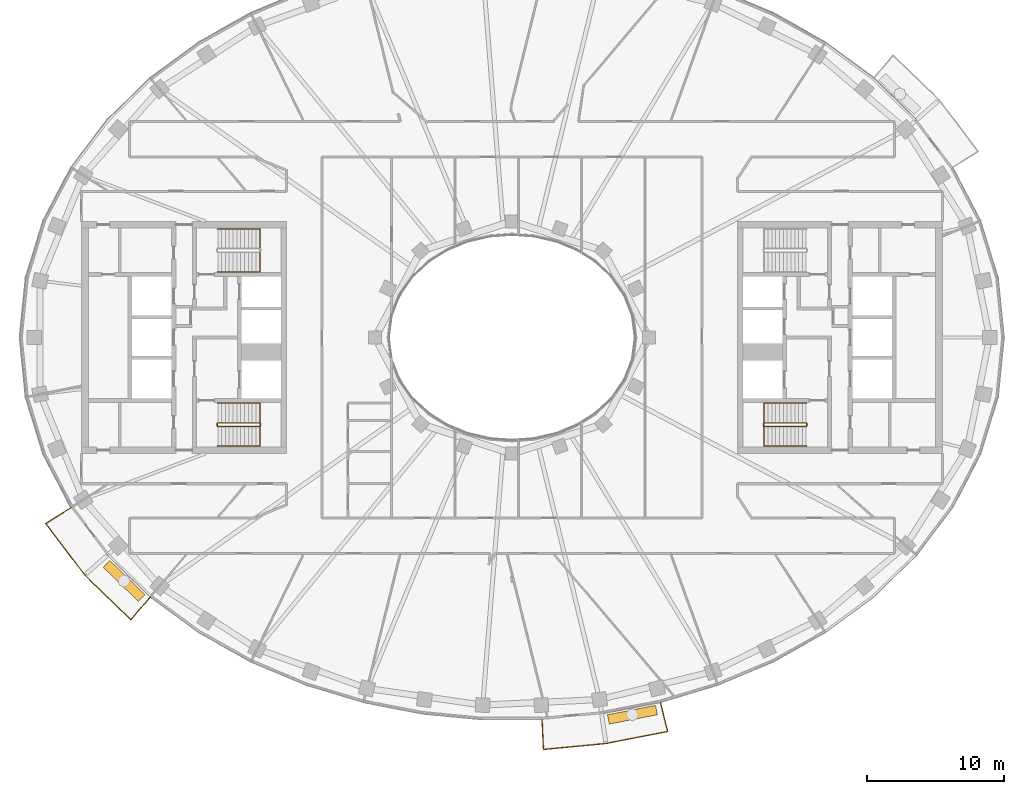
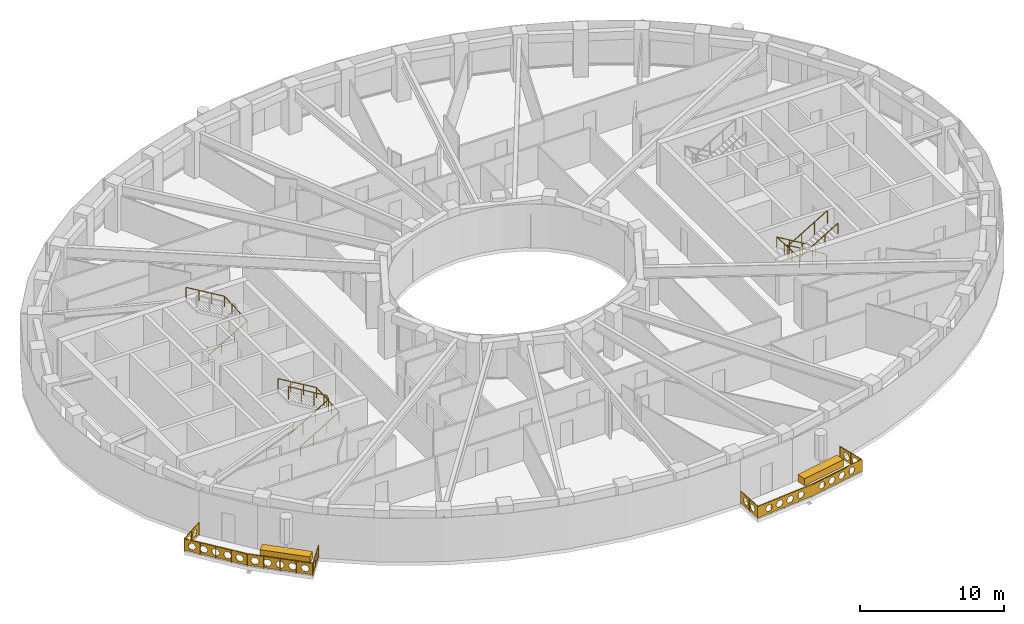
# One storey, part 15 of 17: 7 railings, 2 coverings.
"""IFC4 building model written with IfcOpenShell, lengths in metres."""

from ifc_helpers import new_model, si_unit, direction, frame, origin, origin_2d, place, context, subcontext, project, spatial, polyline, rectangle, outline, extrude, material, type_object, element, save


model = new_model("IFC4")

# Units and contexts
model_context = context("Model", 3, precision=1e-05, world=origin(), true_north=direction((0.0, 1.0)))
body_context = subcontext(model_context, "Body", "Model", "MODEL_VIEW")
ifc_project = project(units=[si_unit("LENGTHUNIT", "METRE"), si_unit("AREAUNIT", "SQUARE_METRE"), si_unit("VOLUMEUNIT", "CUBIC_METRE"), si_unit("PLANEANGLEUNIT", "RADIAN"), si_unit("MASSUNIT", "GRAM", prefix="KILO")], contexts=[model_context])

# Site, building, storey
site_placement = place(None, origin())
site = spatial("IfcSite", under=ifc_project, at=site_placement, CompositionType="ELEMENT")
building_placement = place(site_placement, origin())
building = spatial("IfcBuilding", under=site, at=building_placement, Name="Noorbagh Ring Tower", CompositionType="ELEMENT")
storey_placement = place(building_placement, frame((0.0, 0.0, 269.5)))
storey = spatial("IfcBuildingStorey", under=building, at=storey_placement, Name="L57", CompositionType="ELEMENT", Elevation=269.5)

# Railings
ifc_material_1 = material(Name="Stainless steel", Category="steel")
railing_type_1 = type_object("IfcRailingType", Name="CORE-STAIR-GUARD", PredefinedType="GUARDRAIL", material=ifc_material_1)
railing_1_placement = place(storey_placement, frame((-21.580078125, -6.449951171875, 0.0)))
element("IfcRailing", 1, at=railing_1_placement, inside=storey, type_object=railing_type_1, Name="L57 ST2 stair guard", PredefinedType="GUARDRAIL", context=body_context, shape_type="SweptSolid", body=[
    extrude(rectangle(XDim=0.048095703125, YDim=0.048095703125, at=origin_2d()), frame((0.0, 0.0, 1.076171875), z_axis=(0.0, 1.0, 0.0), x_axis=(-1.0, 0.0, 0.0)), (0.0, 0.0, 1.0), 0.14990234375),
    extrude(rectangle(XDim=0.048095703125, YDim=0.048095703125, at=origin_2d()), frame((0.0, 0.14990234375, 1.076171875), z_axis=(0.188775798145, -0.754182335027, 0.628945707965), x_axis=(0.970072785993, 0.242814311512, 0.0)), (0.0, 0.0, 1.0), 0.26513671875),
    extrude(rectangle(XDim=0.048095703125, YDim=0.048095703125, at=origin_2d()), frame((0.050048828125, -0.050048828125, 1.24267578125), z_axis=(0.859308565015, 0.0, 0.511457515432), x_axis=(0.0, 1.0, 0.0)), (0.0, 0.0, 1.0), 3.58447265625),
    extrude(rectangle(XDim=0.048095703125, YDim=0.048095703125, at=origin_2d()), frame((3.130126953125, -0.050048828125, 3.076171875), z_axis=(0.707106781187, 0.707106781187, 0.0), x_axis=(-0.707106781187, 0.707106781187, 0.0)), (0.0, 0.0, 1.0), 0.07080078125),
    extrude(rectangle(XDim=0.048095703125, YDim=0.048095703125, at=origin_2d()), frame((3.18017578125, 0.0, 3.076171875), z_axis=(0.0, 1.0, 0.0), x_axis=(-1.0, 0.0, 0.0)), (0.0, 0.0, 1.0), 0.14990234375),
    extrude(rectangle(XDim=0.048095703125, YDim=0.048095703125, at=origin_2d()), frame((3.18017578125, 0.14990234375, 3.076171875), z_axis=(-0.27628659633, 0.27628659633, 0.920506074601), x_axis=(-0.707106781187, -0.707106781187, 0.0)), (0.0, 0.0, 1.0), 0.18115234375),
    extrude(rectangle(XDim=0.048095703125, YDim=0.048095703125, at=origin_2d()), frame((3.130126953125, 0.199951171875, 3.24267578125), z_axis=(-0.859308565015, 0.0, 0.511457515432), x_axis=(0.0, -1.0, 0.0)), (0.0, 0.0, 1.0), 3.58447265625),
    extrude(rectangle(XDim=0.0419921875, YDim=0.0419921875, at=origin_2d()), origin(), (0.0, 0.0, 1.0), 1.052001953125),
    extrude(rectangle(XDim=0.0419921875, YDim=0.0419921875, at=origin_2d()), frame((1.07666015625, -0.050048828125, 0.77783203125)), (0.0, 0.0, 1.0), 1.052001953125),
    extrude(rectangle(XDim=0.0419921875, YDim=0.0419921875, at=origin_2d()), frame((2.103515625, -0.050048828125, 1.388916015625)), (0.0, 0.0, 1.0), 1.052001953125),
    extrude(rectangle(XDim=0.0419921875, YDim=0.0419921875, at=origin_2d()), frame((3.130126953125, -0.050048828125, 2.0)), (0.0, 0.0, 1.0), 1.052001953125),
    extrude(rectangle(XDim=0.0419921875, YDim=0.0419921875, at=origin_2d()), frame((3.130126953125, 0.199951171875, 2.166748046875)), (0.0, 0.0, 1.0), 1.052001953125),
    extrude(rectangle(XDim=0.0419921875, YDim=0.0419921875, at=origin_2d()), frame((2.103515625, 0.199951171875, 2.77783203125)), (0.0, 0.0, 1.0), 1.052001953125),
    extrude(rectangle(XDim=0.0419921875, YDim=0.0419921875, at=origin_2d()), frame((1.07666015625, 0.199951171875, 3.388916015625)), (0.0, 0.0, 1.0), 1.052001953125),
    extrude(rectangle(XDim=0.0419921875, YDim=0.0419921875, at=origin_2d()), frame((0.050048828125, 0.199951171875, 4.0)), (0.0, 0.0, 1.0), 1.052001953125),
])
railing_2_placement = place(storey_placement, frame((21.580078125, -6.300048828125, 0.0)))
element("IfcRailing", 2, at=railing_2_placement, inside=storey, type_object=railing_type_1, Name="L57 ST4 stair guard", PredefinedType="GUARDRAIL", context=body_context, shape_type="SweptSolid", body=[
    extrude(rectangle(XDim=0.048095703125, YDim=0.048095703125, at=origin_2d()), frame((0.0, 0.0, 1.076171875), z_axis=(0.0, -1.0, 0.0), x_axis=(1.0, 0.0, 0.0)), (0.0, 0.0, 1.0), 0.14990234375),
    extrude(rectangle(XDim=0.048095703125, YDim=0.048095703125, at=origin_2d()), frame((0.0, -0.14990234375, 1.076171875), z_axis=(-0.188775798145, 0.754182335027, 0.628945707965), x_axis=(-0.970072785993, -0.242814311512, 0.0)), (0.0, 0.0, 1.0), 0.26513671875),
    extrude(rectangle(XDim=0.048095703125, YDim=0.048095703125, at=origin_2d()), frame((-0.050048828125, 0.050048828125, 1.24267578125), z_axis=(-0.859308565015, 0.0, 0.511457515432), x_axis=(0.0, -1.0, 0.0)), (0.0, 0.0, 1.0), 3.58447265625),
    extrude(rectangle(XDim=0.048095703125, YDim=0.048095703125, at=origin_2d()), frame((-3.130126953125, 0.050048828125, 3.076171875), z_axis=(-0.707106781187, -0.707106781187, 0.0), x_axis=(0.707106781187, -0.707106781187, 0.0)), (0.0, 0.0, 1.0), 0.07080078125),
    extrude(rectangle(XDim=0.048095703125, YDim=0.048095703125, at=origin_2d()), frame((-3.18017578125, 0.0, 3.076171875), z_axis=(0.0, -1.0, 0.0), x_axis=(1.0, 0.0, 0.0)), (0.0, 0.0, 1.0), 0.14990234375),
    extrude(rectangle(XDim=0.048095703125, YDim=0.048095703125, at=origin_2d()), frame((-3.18017578125, -0.14990234375, 3.076171875), z_axis=(0.27628659633, -0.27628659633, 0.920506074601), x_axis=(0.707106781187, 0.707106781187, 0.0)), (0.0, 0.0, 1.0), 0.18115234375),
    extrude(rectangle(XDim=0.048095703125, YDim=0.048095703125, at=origin_2d()), frame((-3.130126953125, -0.199951171875, 3.24267578125), z_axis=(0.859308565015, 0.0, 0.511457515432), x_axis=(0.0, 1.0, 0.0)), (0.0, 0.0, 1.0), 3.58447265625),
    extrude(rectangle(XDim=0.0419921875, YDim=0.0419921875, at=origin_2d()), origin(), (0.0, 0.0, 1.0), 1.052001953125),
    extrude(rectangle(XDim=0.0419921875, YDim=0.0419921875, at=origin_2d()), frame((-1.07666015625, 0.050048828125, 0.77783203125)), (0.0, 0.0, 1.0), 1.052001953125),
    extrude(rectangle(XDim=0.0419921875, YDim=0.0419921875, at=origin_2d()), frame((-2.103515625, 0.050048828125, 1.388916015625)), (0.0, 0.0, 1.0), 1.052001953125),
    extrude(rectangle(XDim=0.0419921875, YDim=0.0419921875, at=origin_2d()), frame((-3.130126953125, 0.050048828125, 2.0)), (0.0, 0.0, 1.0), 1.052001953125),
    extrude(rectangle(XDim=0.0419921875, YDim=0.0419921875, at=origin_2d()), frame((-3.130126953125, -0.199951171875, 2.166748046875)), (0.0, 0.0, 1.0), 1.052001953125),
    extrude(rectangle(XDim=0.0419921875, YDim=0.0419921875, at=origin_2d()), frame((-2.103515625, -0.199951171875, 2.77783203125)), (0.0, 0.0, 1.0), 1.052001953125),
    extrude(rectangle(XDim=0.0419921875, YDim=0.0419921875, at=origin_2d()), frame((-1.07666015625, -0.199951171875, 3.388916015625)), (0.0, 0.0, 1.0), 1.052001953125),
    extrude(rectangle(XDim=0.0419921875, YDim=0.0419921875, at=origin_2d()), frame((-0.050048828125, -0.199951171875, 4.0)), (0.0, 0.0, 1.0), 1.052001953125),
])
ifc_material_2 = material(Name="Stainless steel", Category="steel")
railing_type_2 = type_object("IfcRailingType", Name="CORE-STAIR-HANDRAIL", PredefinedType="HANDRAIL", material=ifc_material_2)
railing_3_placement = place(storey_placement, frame((-21.530029296875, 4.800048828125, 0.166748046875)))
element("IfcRailing", 3, at=railing_3_placement, inside=storey, type_object=railing_type_2, Name="L57 ST1 stair handrail", PredefinedType="HANDRAIL", context=body_context, shape_type="SweptSolid", body=[
    extrude(rectangle(XDim=0.048095703125, YDim=0.048095703125, at=origin_2d()), frame((0.0, 0.0, 0.8759765625), z_axis=(0.859308565015, 0.0, 0.511457515432), x_axis=(0.0, 1.0, 0.0)), (0.0, 0.0, 1.0), 3.58447265625),
    extrude(rectangle(XDim=0.048095703125, YDim=0.048095703125, at=origin_2d()), frame((3.080078125, 0.0, 2.708984375), z_axis=(0.0, 0.998601747152, 0.052863509014), x_axis=(-1.0, 0.0, 0.0)), (0.0, 0.0, 1.0), 3.154296875),
    extrude(rectangle(XDim=0.048095703125, YDim=0.048095703125, at=origin_2d()), frame((3.080078125, 3.14990234375, 2.8759765625), z_axis=(-0.859308565015, 0.0, 0.511457515432), x_axis=(0.0, -1.0, 0.0)), (0.0, 0.0, 1.0), 3.58447265625),
    extrude(rectangle(XDim=0.0419921875, YDim=0.0419921875, at=origin_2d()), origin(), (0.0, 0.0, 1.0), 0.851806640625),
    extrude(rectangle(XDim=0.0419921875, YDim=0.0419921875, at=origin_2d()), frame((1.026611328125, 0.0, 0.611083984375)), (0.0, 0.0, 1.0), 0.851806640625),
    extrude(rectangle(XDim=0.0419921875, YDim=0.0419921875, at=origin_2d()), frame((2.053466796875, 0.0, 1.22216796875)), (0.0, 0.0, 1.0), 0.851806640625),
    extrude(rectangle(XDim=0.0419921875, YDim=0.0419921875, at=origin_2d()), frame((3.080078125, 0.0, 1.833251953125)), (0.0, 0.0, 1.0), 0.851806640625),
    extrude(rectangle(XDim=0.0419921875, YDim=0.0419921875, at=origin_2d()), frame((3.080078125, 1.050048828125, 1.888916015625)), (0.0, 0.0, 1.0), 0.851806640625),
    extrude(rectangle(XDim=0.0419921875, YDim=0.0419921875, at=origin_2d()), frame((3.080078125, 2.099853515625, 1.9443359375)), (0.0, 0.0, 1.0), 0.851806640625),
    extrude(rectangle(XDim=0.0419921875, YDim=0.0419921875, at=origin_2d()), frame((3.080078125, 3.14990234375, 2.0)), (0.0, 0.0, 1.0), 0.851806640625),
    extrude(rectangle(XDim=0.0419921875, YDim=0.0419921875, at=origin_2d()), frame((2.053466796875, 3.14990234375, 2.611083984375)), (0.0, 0.0, 1.0), 0.851806640625),
    extrude(rectangle(XDim=0.0419921875, YDim=0.0419921875, at=origin_2d()), frame((1.026611328125, 3.14990234375, 3.22216796875)), (0.0, 0.0, 1.0), 0.851806640625),
    extrude(rectangle(XDim=0.0419921875, YDim=0.0419921875, at=origin_2d()), frame((0.0, 3.14990234375, 3.833251953125)), (0.0, 0.0, 1.0), 0.851806640625),
])
railing_4_placement = place(storey_placement, frame((-21.530029296875, -7.949951171875, 0.166748046875)))
element("IfcRailing", 4, at=railing_4_placement, inside=storey, type_object=railing_type_2, Name="L57 ST2 stair handrail", PredefinedType="HANDRAIL", context=body_context, shape_type="SweptSolid", body=[
    extrude(rectangle(XDim=0.048095703125, YDim=0.048095703125, at=origin_2d()), frame((0.0, 0.0, 0.8759765625), z_axis=(0.859308565015, 0.0, 0.511457515432), x_axis=(0.0, 1.0, 0.0)), (0.0, 0.0, 1.0), 3.58447265625),
    extrude(rectangle(XDim=0.048095703125, YDim=0.048095703125, at=origin_2d()), frame((3.080078125, 0.0, 2.708984375), z_axis=(0.0, 0.998601747152, 0.052863509014), x_axis=(-1.0, 0.0, 0.0)), (0.0, 0.0, 1.0), 3.154296875),
    extrude(rectangle(XDim=0.048095703125, YDim=0.048095703125, at=origin_2d()), frame((3.080078125, 3.14990234375, 2.8759765625), z_axis=(-0.859308565015, 0.0, 0.511457515432), x_axis=(0.0, -1.0, 0.0)), (0.0, 0.0, 1.0), 3.58447265625),
    extrude(rectangle(XDim=0.0419921875, YDim=0.0419921875, at=origin_2d()), origin(), (0.0, 0.0, 1.0), 0.851806640625),
    extrude(rectangle(XDim=0.0419921875, YDim=0.0419921875, at=origin_2d()), frame((1.026611328125, 0.0, 0.611083984375)), (0.0, 0.0, 1.0), 0.851806640625),
    extrude(rectangle(XDim=0.0419921875, YDim=0.0419921875, at=origin_2d()), frame((2.053466796875, 0.0, 1.22216796875)), (0.0, 0.0, 1.0), 0.851806640625),
    extrude(rectangle(XDim=0.0419921875, YDim=0.0419921875, at=origin_2d()), frame((3.080078125, 0.0, 1.833251953125)), (0.0, 0.0, 1.0), 0.851806640625),
    extrude(rectangle(XDim=0.0419921875, YDim=0.0419921875, at=origin_2d()), frame((3.080078125, 1.050048828125, 1.888916015625)), (0.0, 0.0, 1.0), 0.851806640625),
    extrude(rectangle(XDim=0.0419921875, YDim=0.0419921875, at=origin_2d()), frame((3.080078125, 2.099853515625, 1.9443359375)), (0.0, 0.0, 1.0), 0.851806640625),
    extrude(rectangle(XDim=0.0419921875, YDim=0.0419921875, at=origin_2d()), frame((3.080078125, 3.14990234375, 2.0)), (0.0, 0.0, 1.0), 0.851806640625),
    extrude(rectangle(XDim=0.0419921875, YDim=0.0419921875, at=origin_2d()), frame((2.053466796875, 3.14990234375, 2.611083984375)), (0.0, 0.0, 1.0), 0.851806640625),
    extrude(rectangle(XDim=0.0419921875, YDim=0.0419921875, at=origin_2d()), frame((1.026611328125, 3.14990234375, 3.22216796875)), (0.0, 0.0, 1.0), 0.851806640625),
    extrude(rectangle(XDim=0.0419921875, YDim=0.0419921875, at=origin_2d()), frame((0.0, 3.14990234375, 3.833251953125)), (0.0, 0.0, 1.0), 0.851806640625),
])
railing_5_placement = place(storey_placement, frame((21.530029296875, -4.800048828125, 0.166748046875)))
element("IfcRailing", 5, at=railing_5_placement, inside=storey, type_object=railing_type_2, Name="L57 ST4 stair handrail", PredefinedType="HANDRAIL", context=body_context, shape_type="SweptSolid", body=[
    extrude(rectangle(XDim=0.048095703125, YDim=0.048095703125, at=origin_2d()), frame((0.0, 0.0, 0.8759765625), z_axis=(-0.859308565015, 0.0, 0.511457515432), x_axis=(0.0, -1.0, 0.0)), (0.0, 0.0, 1.0), 3.58447265625),
    extrude(rectangle(XDim=0.048095703125, YDim=0.048095703125, at=origin_2d()), frame((-3.080078125, 0.0, 2.708984375), z_axis=(0.0, -0.998601747152, 0.052863509014), x_axis=(1.0, 0.0, 0.0)), (0.0, 0.0, 1.0), 3.154296875),
    extrude(rectangle(XDim=0.048095703125, YDim=0.048095703125, at=origin_2d()), frame((-3.080078125, -3.14990234375, 2.8759765625), z_axis=(0.859308565015, 0.0, 0.511457515432), x_axis=(0.0, 1.0, 0.0)), (0.0, 0.0, 1.0), 3.58447265625),
    extrude(rectangle(XDim=0.0419921875, YDim=0.0419921875, at=origin_2d()), origin(), (0.0, 0.0, 1.0), 0.851806640625),
    extrude(rectangle(XDim=0.0419921875, YDim=0.0419921875, at=origin_2d()), frame((-1.026611328125, 0.0, 0.611083984375)), (0.0, 0.0, 1.0), 0.851806640625),
    extrude(rectangle(XDim=0.0419921875, YDim=0.0419921875, at=origin_2d()), frame((-2.053466796875, 0.0, 1.22216796875)), (0.0, 0.0, 1.0), 0.851806640625),
    extrude(rectangle(XDim=0.0419921875, YDim=0.0419921875, at=origin_2d()), frame((-3.080078125, 0.0, 1.833251953125)), (0.0, 0.0, 1.0), 0.851806640625),
    extrude(rectangle(XDim=0.0419921875, YDim=0.0419921875, at=origin_2d()), frame((-3.080078125, -1.050048828125, 1.888916015625)), (0.0, 0.0, 1.0), 0.851806640625),
    extrude(rectangle(XDim=0.0419921875, YDim=0.0419921875, at=origin_2d()), frame((-3.080078125, -2.099853515625, 1.9443359375)), (0.0, 0.0, 1.0), 0.851806640625),
    extrude(rectangle(XDim=0.0419921875, YDim=0.0419921875, at=origin_2d()), frame((-3.080078125, -3.14990234375, 2.0)), (0.0, 0.0, 1.0), 0.851806640625),
    extrude(rectangle(XDim=0.0419921875, YDim=0.0419921875, at=origin_2d()), frame((-2.053466796875, -3.14990234375, 2.611083984375)), (0.0, 0.0, 1.0), 0.851806640625),
    extrude(rectangle(XDim=0.0419921875, YDim=0.0419921875, at=origin_2d()), frame((-1.026611328125, -3.14990234375, 3.22216796875)), (0.0, 0.0, 1.0), 0.851806640625),
    extrude(rectangle(XDim=0.0419921875, YDim=0.0419921875, at=origin_2d()), frame((0.0, -3.14990234375, 3.833251953125)), (0.0, 0.0, 1.0), 0.851806640625),
])
ifc_material_3 = material(Name="Steel S275 black powder-coated", Category="steel")
railing_type_3 = type_object("IfcRailingType", Name="ENV-GUARD", PredefinedType="GUARDRAIL", material=ifc_material_3)
railing_6_placement = place(storey_placement, frame((-32.255126953125, -12.434814453125, 0.0)))
element("IfcRailing", 6, at=railing_6_placement, inside=storey, type_object=railing_type_3, Name="Balcony guard BS01", PredefinedType="GUARDRAIL", context=body_context, shape_type="SweptSolid", body=[
    extrude(rectangle(XDim=0.048095703125, YDim=0.048095703125, at=origin_2d()), frame((0.0, 0.0, 1.076171875), z_axis=(-0.844852397829, -0.534999463442, 0.0), x_axis=(0.534999463442, -0.844852397829, 0.0)), (0.0, 0.0, 1.0), 2.207763671875),
    extrude(rectangle(XDim=0.048095703125, YDim=0.048095703125, at=origin_2d()), frame((-1.865234375, -1.18115234375, 1.076171875), z_axis=(0.604001613322, -0.796983093362, 0.0), x_axis=(0.796983093362, 0.604001613322, 0.0)), (0.0, 0.0, 1.0), 4.7353515625),
    extrude(rectangle(XDim=0.048095703125, YDim=0.048095703125, at=origin_2d()), frame((0.994873046875, -4.955078125, 1.076171875), z_axis=(0.717212632946, -0.696854388766, 0.0), x_axis=(0.696854388766, 0.717212632946, 0.0)), (0.0, 0.0, 1.0), 4.700927734375),
    extrude(rectangle(XDim=0.048095703125, YDim=0.048095703125, at=origin_2d()), frame((4.366455078125, -8.23095703125, 1.076171875), z_axis=(0.646413574048, 0.762987215677, 0.0), x_axis=(-0.762987215677, 0.646413574048, 0.0)), (0.0, 0.0, 1.0), 2.205322265625),
    extrude(rectangle(XDim=0.0419921875, YDim=0.0419921875, at=origin_2d()), origin(), (0.0, 0.0, 1.0), 1.052001953125),
    extrude(rectangle(XDim=0.0419921875, YDim=0.0419921875, at=origin_2d()), frame((-0.9326171875, -0.590576171875, 0.0)), (0.0, 0.0, 1.0), 1.052001953125),
    extrude(rectangle(XDim=0.0419921875, YDim=0.0419921875, at=origin_2d()), frame((-1.865234375, -1.18115234375, 0.0)), (0.0, 0.0, 1.0), 1.052001953125),
    extrude(rectangle(XDim=0.0419921875, YDim=0.0419921875, at=origin_2d()), frame((-1.150146484375, -2.12451171875, 0.0)), (0.0, 0.0, 1.0), 1.052001953125),
    extrude(rectangle(XDim=0.0419921875, YDim=0.0419921875, at=origin_2d()), frame((-0.43505859375, -3.068115234375, 0.0)), (0.0, 0.0, 1.0), 1.052001953125),
    extrude(rectangle(XDim=0.0419921875, YDim=0.0419921875, at=origin_2d()), frame((0.27978515625, -4.01171875, 0.0)), (0.0, 0.0, 1.0), 1.052001953125),
    extrude(rectangle(XDim=0.0419921875, YDim=0.0419921875, at=origin_2d()), frame((0.994873046875, -4.955078125, 0.0)), (0.0, 0.0, 1.0), 1.052001953125),
    extrude(rectangle(XDim=0.0419921875, YDim=0.0419921875, at=origin_2d()), frame((1.837890625, -5.77392578125, 0.0)), (0.0, 0.0, 1.0), 1.052001953125),
    extrude(rectangle(XDim=0.0419921875, YDim=0.0419921875, at=origin_2d()), frame((2.6806640625, -6.593017578125, 0.0)), (0.0, 0.0, 1.0), 1.052001953125),
    extrude(rectangle(XDim=0.0419921875, YDim=0.0419921875, at=origin_2d()), frame((3.5234375, -7.412109375, 0.0)), (0.0, 0.0, 1.0), 1.052001953125),
    extrude(rectangle(XDim=0.0419921875, YDim=0.0419921875, at=origin_2d()), frame((4.366455078125, -8.23095703125, 0.0)), (0.0, 0.0, 1.0), 1.052001953125),
    extrude(rectangle(XDim=0.0419921875, YDim=0.0419921875, at=origin_2d()), frame((5.0791015625, -7.3896484375, 0.0)), (0.0, 0.0, 1.0), 1.052001953125),
    extrude(rectangle(XDim=0.0419921875, YDim=0.0419921875, at=origin_2d()), frame((5.7919921875, -6.54833984375, 0.0)), (0.0, 0.0, 1.0), 1.052001953125),
    extrude(outline(polyline([(0.0, 0.10009765625), (2.207763671875, 0.10009765625), (2.207763671875, 1.031982421875), (0.0, 1.031982421875), (0.0, 0.10009765625)]), holes=[polyline([(0.9638671875, 0.56591796875), (0.808837890625, 0.83447265625), (0.498779296875, 0.83447265625), (0.343994140625, 0.56591796875), (0.498779296875, 0.297607421875), (0.808837890625, 0.297607421875), (0.9638671875, 0.56591796875)]), polyline([(1.86376953125, 0.56591796875), (1.708984375, 0.83447265625), (1.39892578125, 0.83447265625), (1.243896484375, 0.56591796875), (1.39892578125, 0.297607421875), (1.708984375, 0.297607421875), (1.86376953125, 0.56591796875)])]), frame((0.00537109375, -0.008544921875, 0.0), z_axis=(-0.534999463442, 0.844852397829, 0.0), x_axis=(-0.844852397829, -0.534999463442, 0.0)), (0.0, 0.0, 1.0), 0.02001953125),
    extrude(outline(polyline([(0.0, 0.10009765625), (4.7353515625, 0.10009765625), (4.7353515625, 1.031982421875), (0.0, 1.031982421875), (0.0, 0.10009765625)]), holes=[polyline([(0.877685546875, 0.56591796875), (0.72265625, 0.83447265625), (0.41259765625, 0.83447265625), (0.257568359375, 0.56591796875), (0.41259765625, 0.297607421875), (0.72265625, 0.297607421875), (0.877685546875, 0.56591796875)]), polyline([(1.777587890625, 0.56591796875), (1.62255859375, 0.83447265625), (1.312744140625, 0.83447265625), (1.15771484375, 0.56591796875), (1.312744140625, 0.297607421875), (1.62255859375, 0.297607421875), (1.777587890625, 0.56591796875)]), polyline([(2.677734375, 0.56591796875), (2.522705078125, 0.83447265625), (2.212646484375, 0.83447265625), (2.0576171875, 0.56591796875), (2.212646484375, 0.297607421875), (2.522705078125, 0.297607421875), (2.677734375, 0.56591796875)]), polyline([(3.57763671875, 0.56591796875), (3.422607421875, 0.83447265625), (3.112548828125, 0.83447265625), (2.95751953125, 0.56591796875), (3.112548828125, 0.297607421875), (3.422607421875, 0.297607421875), (3.57763671875, 0.56591796875)]), polyline([(4.4775390625, 0.56591796875), (4.32275390625, 0.83447265625), (4.0126953125, 0.83447265625), (3.857666015625, 0.56591796875), (4.0126953125, 0.297607421875), (4.32275390625, 0.297607421875), (4.4775390625, 0.56591796875)])]), frame((-1.857177734375, -1.175048828125, 0.0), z_axis=(-0.796983093362, -0.604001613322, 0.0), x_axis=(0.604001613322, -0.796983093362, 0.0)), (0.0, 0.0, 1.0), 0.02001953125),
    extrude(outline(polyline([(0.0, 0.10009765625), (4.700927734375, 0.10009765625), (4.700927734375, 1.031982421875), (0.0, 1.031982421875), (0.0, 0.10009765625)]), holes=[polyline([(0.860595703125, 0.56591796875), (0.70556640625, 0.83447265625), (0.3955078125, 0.83447265625), (0.240478515625, 0.56591796875), (0.3955078125, 0.297607421875), (0.70556640625, 0.297607421875), (0.860595703125, 0.56591796875)]), polyline([(1.760498046875, 0.56591796875), (1.60546875, 0.83447265625), (1.29541015625, 0.83447265625), (1.140380859375, 0.56591796875), (1.29541015625, 0.297607421875), (1.60546875, 0.297607421875), (1.760498046875, 0.56591796875)]), polyline([(2.660400390625, 0.56591796875), (2.50537109375, 0.83447265625), (2.195556640625, 0.83447265625), (2.04052734375, 0.56591796875), (2.195556640625, 0.297607421875), (2.50537109375, 0.297607421875), (2.660400390625, 0.56591796875)]), polyline([(3.560546875, 0.56591796875), (3.405517578125, 0.83447265625), (3.095458984375, 0.83447265625), (2.9404296875, 0.56591796875), (3.095458984375, 0.297607421875), (3.405517578125, 0.297607421875), (3.560546875, 0.56591796875)]), polyline([(4.46044921875, 0.56591796875), (4.305419921875, 0.83447265625), (3.995361328125, 0.83447265625), (3.840576171875, 0.56591796875), (3.995361328125, 0.297607421875), (4.305419921875, 0.297607421875), (4.46044921875, 0.56591796875)])]), frame((1.001953125, -4.947998046875, 0.0), z_axis=(-0.696854388766, -0.717212632946, 0.0), x_axis=(0.717212632946, -0.696854388766, 0.0)), (0.0, 0.0, 1.0), 0.02001953125),
    extrude(outline(polyline([(0.0, 0.10009765625), (2.205322265625, 0.10009765625), (2.205322265625, 1.031982421875), (0.0, 1.031982421875), (0.0, 0.10009765625)]), holes=[polyline([(0.962646484375, 0.56591796875), (0.8076171875, 0.83447265625), (0.49755859375, 0.83447265625), (0.342529296875, 0.56591796875), (0.49755859375, 0.297607421875), (0.8076171875, 0.297607421875), (0.962646484375, 0.56591796875)]), polyline([(1.862548828125, 0.56591796875), (1.707763671875, 0.83447265625), (1.397705078125, 0.83447265625), (1.24267578125, 0.56591796875), (1.397705078125, 0.297607421875), (1.707763671875, 0.297607421875), (1.862548828125, 0.56591796875)])]), frame((4.35888671875, -8.224609375, 0.0), z_axis=(0.762987215677, -0.646413574048, 0.0), x_axis=(0.646413574048, 0.762987215677, 0.0)), (0.0, 0.0, 1.0), 0.02001953125),
])
railing_7_placement = place(storey_placement, frame((2.193115234375, -27.947998046875, 0.0)))
element("IfcRailing", 7, at=railing_7_placement, inside=storey, type_object=railing_type_3, Name="Balcony guard BS04", PredefinedType="GUARDRAIL", context=body_context, shape_type="SweptSolid", body=[
    extrude(rectangle(XDim=0.048095703125, YDim=0.048095703125, at=origin_2d()), frame((0.0, 0.0, 1.076171875), z_axis=(0.047554616162, -0.998868639252, 0.0), x_axis=(0.998868639252, 0.047554616162, 0.0)), (0.0, 0.0, 1.0), 2.202392578125),
    extrude(rectangle(XDim=0.048095703125, YDim=0.048095703125, at=origin_2d()), frame((0.104736328125, -2.199951171875, 1.076171875), z_axis=(0.995477555764, 0.094997031379, 0.0), x_axis=(-0.094997031379, 0.995477555764, 0.0)), (0.0, 0.0, 1.0), 4.59765625),
    extrude(rectangle(XDim=0.048095703125, YDim=0.048095703125, at=origin_2d()), frame((4.681640625, -1.76318359375, 1.076171875), z_axis=(0.981625049064, 0.1908199755, 0.0), x_axis=(-0.1908199755, 0.981625049064, 0.0)), (0.0, 0.0, 1.0), 4.603271484375),
    extrude(rectangle(XDim=0.048095703125, YDim=0.048095703125, at=origin_2d()), frame((9.200439453125, -0.884765625, 1.076171875), z_axis=(-0.239848558412, 0.970810315679, 0.0), x_axis=(-0.970810315679, -0.239848558412, 0.0)), (0.0, 0.0, 1.0), 2.20263671875),
    extrude(rectangle(XDim=0.0419921875, YDim=0.0419921875, at=origin_2d()), origin(), (0.0, 0.0, 1.0), 1.052001953125),
    extrude(rectangle(XDim=0.0419921875, YDim=0.0419921875, at=origin_2d()), frame((0.05224609375, -1.10009765625, 0.0)), (0.0, 0.0, 1.0), 1.052001953125),
    extrude(rectangle(XDim=0.0419921875, YDim=0.0419921875, at=origin_2d()), frame((0.104736328125, -2.199951171875, 0.0)), (0.0, 0.0, 1.0), 1.052001953125),
    extrude(rectangle(XDim=0.0419921875, YDim=0.0419921875, at=origin_2d()), frame((1.2490234375, -2.0908203125, 0.0)), (0.0, 0.0, 1.0), 1.052001953125),
    extrude(rectangle(XDim=0.0419921875, YDim=0.0419921875, at=origin_2d()), frame((2.39306640625, -1.9814453125, 0.0)), (0.0, 0.0, 1.0), 1.052001953125),
    extrude(rectangle(XDim=0.0419921875, YDim=0.0419921875, at=origin_2d()), frame((3.537353515625, -1.872314453125, 0.0)), (0.0, 0.0, 1.0), 1.052001953125),
    extrude(rectangle(XDim=0.0419921875, YDim=0.0419921875, at=origin_2d()), frame((4.681640625, -1.76318359375, 0.0)), (0.0, 0.0, 1.0), 1.052001953125),
    extrude(rectangle(XDim=0.0419921875, YDim=0.0419921875, at=origin_2d()), frame((5.811279296875, -1.54345703125, 0.0)), (0.0, 0.0, 1.0), 1.052001953125),
    extrude(rectangle(XDim=0.0419921875, YDim=0.0419921875, at=origin_2d()), frame((6.94091796875, -1.323974609375, 0.0)), (0.0, 0.0, 1.0), 1.052001953125),
    extrude(rectangle(XDim=0.0419921875, YDim=0.0419921875, at=origin_2d()), frame((8.07080078125, -1.1044921875, 0.0)), (0.0, 0.0, 1.0), 1.052001953125),
    extrude(rectangle(XDim=0.0419921875, YDim=0.0419921875, at=origin_2d()), frame((9.200439453125, -0.884765625, 0.0)), (0.0, 0.0, 1.0), 1.052001953125),
    extrude(rectangle(XDim=0.0419921875, YDim=0.0419921875, at=origin_2d()), frame((8.936279296875, 0.1845703125, 0.0)), (0.0, 0.0, 1.0), 1.052001953125),
    extrude(rectangle(XDim=0.0419921875, YDim=0.0419921875, at=origin_2d()), frame((8.672119140625, 1.253662109375, 0.0)), (0.0, 0.0, 1.0), 1.052001953125),
    extrude(outline(polyline([(0.0, 0.10009765625), (2.202392578125, 0.10009765625), (2.202392578125, 1.031982421875), (0.0, 1.031982421875), (0.0, 0.10009765625)]), holes=[polyline([(0.961181640625, 0.56591796875), (0.80615234375, 0.83447265625), (0.496337890625, 0.83447265625), (0.34130859375, 0.56591796875), (0.496337890625, 0.297607421875), (0.80615234375, 0.297607421875), (0.961181640625, 0.56591796875)]), polyline([(1.861328125, 0.56591796875), (1.706298828125, 0.83447265625), (1.396240234375, 0.83447265625), (1.2412109375, 0.56591796875), (1.396240234375, 0.297607421875), (1.706298828125, 0.297607421875), (1.861328125, 0.56591796875)])]), frame((0.010009765625, 0.00048828125, 0.0), z_axis=(-0.998868639252, -0.047554616162, 0.0), x_axis=(0.047554616162, -0.998868639252, 0.0)), (0.0, 0.0, 1.0), 0.02001953125),
    extrude(outline(polyline([(0.0, 0.10009765625), (4.59765625, 0.10009765625), (4.59765625, 1.031982421875), (0.0, 1.031982421875), (0.0, 0.10009765625)]), holes=[polyline([(1.2587890625, 0.56591796875), (1.103759765625, 0.83447265625), (0.7939453125, 0.83447265625), (0.638916015625, 0.56591796875), (0.7939453125, 0.297607421875), (1.103759765625, 0.297607421875), (1.2587890625, 0.56591796875)]), polyline([(2.158935546875, 0.56591796875), (2.00390625, 0.83447265625), (1.69384765625, 0.83447265625), (1.538818359375, 0.56591796875), (1.69384765625, 0.297607421875), (2.00390625, 0.297607421875), (2.158935546875, 0.56591796875)]), polyline([(3.058837890625, 0.56591796875), (2.90380859375, 0.83447265625), (2.59375, 0.83447265625), (2.43896484375, 0.56591796875), (2.59375, 0.297607421875), (2.90380859375, 0.297607421875), (3.058837890625, 0.56591796875)]), polyline([(3.958740234375, 0.56591796875), (3.803955078125, 0.83447265625), (3.493896484375, 0.83447265625), (3.3388671875, 0.56591796875), (3.493896484375, 0.297607421875), (3.803955078125, 0.297607421875), (3.958740234375, 0.56591796875)])]), frame((0.103759765625, -2.18994140625, 0.0), z_axis=(0.094997031379, -0.995477555764, 0.0), x_axis=(0.995477555764, 0.094997031379, 0.0)), (0.0, 0.0, 1.0), 0.02001953125),
    extrude(outline(polyline([(0.0, 0.10009765625), (4.603271484375, 0.10009765625), (4.603271484375, 1.031982421875), (0.0, 1.031982421875), (0.0, 0.10009765625)]), holes=[polyline([(1.26171875, 0.56591796875), (1.106689453125, 0.83447265625), (0.796630859375, 0.83447265625), (0.6416015625, 0.56591796875), (0.796630859375, 0.297607421875), (1.106689453125, 0.297607421875), (1.26171875, 0.56591796875)]), polyline([(2.16162109375, 0.56591796875), (2.006591796875, 0.83447265625), (1.69677734375, 0.83447265625), (1.541748046875, 0.56591796875), (1.69677734375, 0.297607421875), (2.006591796875, 0.297607421875), (2.16162109375, 0.56591796875)]), polyline([(3.061767578125, 0.56591796875), (2.90673828125, 0.83447265625), (2.5966796875, 0.83447265625), (2.441650390625, 0.56591796875), (2.5966796875, 0.297607421875), (2.90673828125, 0.297607421875), (3.061767578125, 0.56591796875)]), polyline([(3.961669921875, 0.56591796875), (3.806640625, 0.83447265625), (3.49658203125, 0.83447265625), (3.341796875, 0.56591796875), (3.49658203125, 0.297607421875), (3.806640625, 0.297607421875), (3.961669921875, 0.56591796875)])]), frame((4.6796875, -1.75341796875, 0.0), z_axis=(0.1908199755, -0.981625049064, 0.0), x_axis=(0.981625049064, 0.1908199755, 0.0)), (0.0, 0.0, 1.0), 0.02001953125),
    extrude(outline(polyline([(0.0, 0.10009765625), (2.20263671875, 0.10009765625), (2.20263671875, 1.031982421875), (0.0, 1.031982421875), (0.0, 0.10009765625)]), holes=[polyline([(0.96142578125, 0.56591796875), (0.806396484375, 0.83447265625), (0.496337890625, 0.83447265625), (0.34130859375, 0.56591796875), (0.496337890625, 0.297607421875), (0.806396484375, 0.297607421875), (0.96142578125, 0.56591796875)]), polyline([(1.861328125, 0.56591796875), (1.706298828125, 0.83447265625), (1.396240234375, 0.83447265625), (1.241455078125, 0.56591796875), (1.396240234375, 0.297607421875), (1.706298828125, 0.297607421875), (1.861328125, 0.56591796875)])]), frame((9.190673828125, -0.88720703125, 0.0), z_axis=(0.970810315679, 0.239848558412, 0.0), x_axis=(-0.239848558412, 0.970810315679, 0.0)), (0.0, 0.0, 1.0), 0.02001953125),
])

# Coverings
ifc_material_4 = material(Name="Concrete C30/37 planter with soil", Category="concrete")
covering_type = type_object("IfcCoveringType", Name="ENV-PLANTER", PredefinedType="CLADDING", material=ifc_material_4)
covering_1_placement = place(storey_placement, frame((-28.3837890625, -17.814208984375, 0.0), z_axis=(0.0, 0.0, 1.0), x_axis=(0.717224548362, -0.696842125038, 0.0)))
element("IfcCovering", 8, at=covering_1_placement, inside=storey, type_object=covering_type, Name="PLANTER BS01", ObjectType="PLANTER", PredefinedType="CLADDING", context=body_context, shape_type="SweptSolid", body=[
    extrude(rectangle(XDim=3.584228515625, YDim=0.699951171875, at=origin_2d()), origin(), (0.0, 0.0, 1.0), 0.60009765625),
])
covering_2_placement = place(storey_placement, frame((8.807861328125, -27.603515625, 0.0), z_axis=(0.0, 0.0, 1.0), x_axis=(0.981624952922, 0.190820470077, 0.0)))
element("IfcCovering", 9, at=covering_2_placement, inside=storey, type_object=covering_type, Name="PLANTER BS04", ObjectType="PLANTER", PredefinedType="CLADDING", context=body_context, shape_type="SweptSolid", body=[
    extrude(rectangle(XDim=3.586181640625, YDim=0.699951171875, at=origin_2d()), origin(), (0.0, 0.0, 1.0), 0.60009765625),
])

save(model, "model.ifc")
